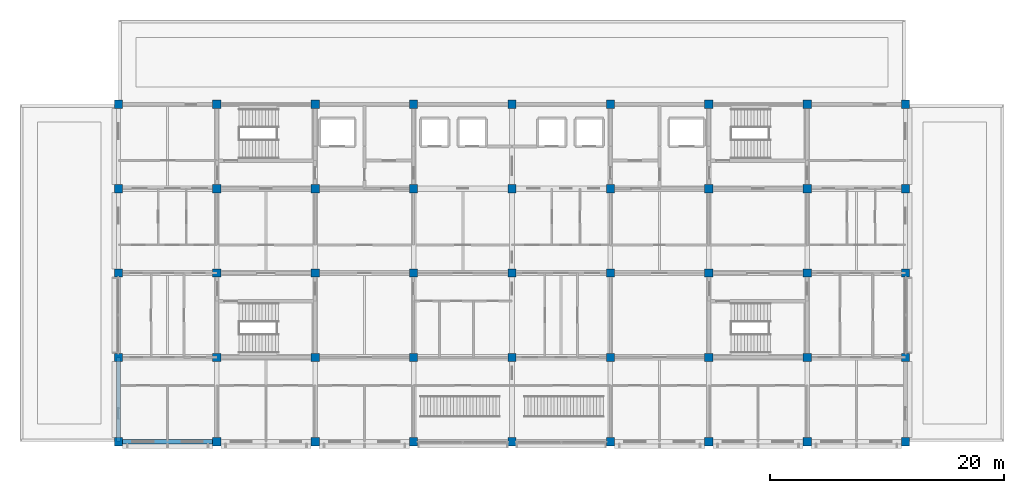
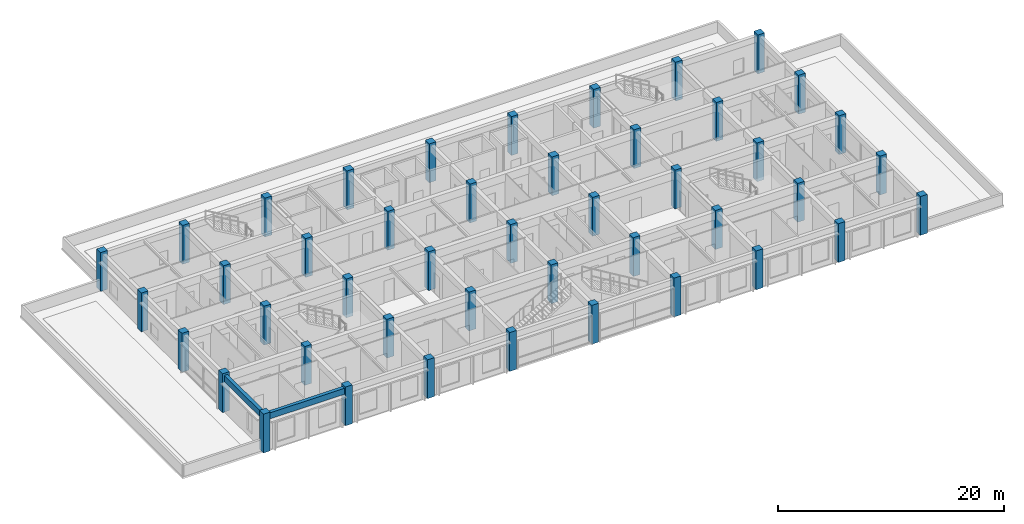
# One storey, part 1 of 19: 45 columns, 2 beams.
"""IFC4 building model written with IfcOpenShell, lengths in metres."""

from ifc_helpers import new_model, si_unit, direction, frame, origin, origin_2d, place, context, subcontext, project, spatial, rectangle, extrude, material, material_profile, profile_set, type_object, element, save


model = new_model("IFC4")

# Units and contexts
model_context = context("Model", 3, precision=1e-05, world=origin(), true_north=direction((0.0, 1.0)))
body_context = subcontext(model_context, "Body", "Model", "MODEL_VIEW")
ifc_project = project(units=[si_unit("LENGTHUNIT", "METRE"), si_unit("AREAUNIT", "SQUARE_METRE"), si_unit("VOLUMEUNIT", "CUBIC_METRE"), si_unit("PLANEANGLEUNIT", "RADIAN"), si_unit("MASSUNIT", "GRAM", prefix="KILO")], contexts=[model_context])

# Site, building, storey
site_placement = place(None, origin())
site = spatial("IfcSite", under=ifc_project, at=site_placement, CompositionType="ELEMENT")
building_placement = place(site_placement, origin())
building = spatial("IfcBuilding", under=site, at=building_placement, Name="Chengyuan Square Courthouse", CompositionType="ELEMENT")
storey_placement = place(building_placement, frame((0.0, 0.0, 47.699951171875)))
storey = spatial("IfcBuildingStorey", under=building, at=storey_placement, Name="L11", CompositionType="ELEMENT", Elevation=47.699951171875)

# Columns
ifc_material = material(Name="Concrete C40", Category="concrete")
ifc_material_profile_1 = material_profile(ifc_material, rectangle(XDim=0.699951171875, YDim=0.699951171875, at=origin_2d()), Name="RC-COL-700x700")
ifc_profile_set_1 = profile_set([ifc_material_profile_1], Name="Concrete C40")
column_type = type_object("IfcColumnType", Name="CL-06", PredefinedType="COLUMN", material=ifc_profile_set_1)
for number, where, z_axis, x_axis, name in (
    (1, (50.39990234375, 79.199951171875, 0.0), (0.0, 0.0, 1.0), (1.0, 0.0, 0.0), "Column CL-L11-001"),
    (2, (50.39990234375, 86.39990234375, 0.0), (0.0, 0.0, 1.0), (1.0, 0.0, 0.0), "Column CL-L11-002"),
    (3, (50.39990234375, 93.60009765625, 0.0), (0.0, 0.0, 1.0), (1.0, 0.0, 0.0), "Column CL-L11-003"),
    (4, (50.39990234375, 100.800048828125, 0.0), (0.0, 0.0, 1.0), (1.0, 0.0, 0.0), "Column CL-L11-004"),
    (5, (50.39990234375, 108.0, 0.0), (0.0, 0.0, 1.0), (1.0, 0.0, 0.0), "Column CL-L11-005"),
    (6, (58.800048828125, 79.199951171875, 0.0), (0.0, 0.0, 1.0), (1.0, 0.0, 0.0), "Column CL-L11-006"),
    (7, (58.800048828125, 86.39990234375, 0.0), (0.0, 0.0, 1.0), (1.0, 0.0, 0.0), "Column CL-L11-007"),
    (8, (58.800048828125, 93.60009765625, 0.0), (0.0, 0.0, 1.0), (1.0, 0.0, 0.0), "Column CL-L11-008"),
    (9, (58.800048828125, 100.800048828125, 0.0), (0.0, 0.0, 1.0), (1.0, 0.0, 0.0), "Column CL-L11-009"),
    (10, (58.800048828125, 108.0, 0.0), (0.0, 0.0, 1.0), (1.0, 0.0, 0.0), "Column CL-L11-010"),
    (11, (67.199951171875, 79.199951171875, 0.0), (0.0, 0.0, 1.0), (1.0, 0.0, 0.0), "Column CL-L11-011"),
    (12, (67.199951171875, 86.39990234375, 0.0), (0.0, 0.0, 1.0), (1.0, 0.0, 0.0), "Column CL-L11-012"),
    (13, (67.199951171875, 93.60009765625, 0.0), (0.0, 0.0, 1.0), (1.0, 0.0, 0.0), "Column CL-L11-013"),
    (14, (67.199951171875, 100.800048828125, 0.0), (0.0, 0.0, 1.0), (1.0, 0.0, 0.0), "Column CL-L11-014"),
    (15, (67.199951171875, 108.0, 0.0), (0.0, 0.0, 1.0), (1.0, 0.0, 0.0), "Column CL-L11-015"),
    (16, (75.60009765625, 79.199951171875, 0.0), (0.0, 0.0, 1.0), (1.0, 0.0, 0.0), "Column CL-L11-016"),
    (17, (75.60009765625, 86.39990234375, 0.0), (0.0, 0.0, 1.0), (1.0, 0.0, 0.0), "Column CL-L11-017"),
    (18, (75.60009765625, 93.60009765625, 0.0), (0.0, 0.0, 1.0), (1.0, 0.0, 0.0), "Column CL-L11-018"),
    (19, (75.60009765625, 100.800048828125, 0.0), (0.0, 0.0, 1.0), (1.0, 0.0, 0.0), "Column CL-L11-019"),
    (20, (75.60009765625, 108.0, 0.0), (0.0, 0.0, 1.0), (1.0, 0.0, 0.0), "Column CL-L11-020"),
    (21, (84.0, 79.199951171875, 0.0), (0.0, 0.0, 1.0), (1.0, 0.0, 0.0), "Column CL-L11-021"),
    (22, (84.0, 86.39990234375, 0.0), (0.0, 0.0, 1.0), (1.0, 0.0, 0.0), "Column CL-L11-022"),
    (23, (84.0, 93.60009765625, 0.0), (0.0, 0.0, 1.0), (1.0, 0.0, 0.0), "Column CL-L11-023"),
    (24, (84.0, 100.800048828125, 0.0), (0.0, 0.0, 1.0), (1.0, 0.0, 0.0), "Column CL-L11-024"),
    (25, (84.0, 108.0, 0.0), (0.0, 0.0, 1.0), (1.0, 0.0, 0.0), "Column CL-L11-025"),
    (26, (92.39990234375, 79.199951171875, 0.0), (0.0, 0.0, 1.0), (1.0, 0.0, 0.0), "Column CL-L11-026"),
    (27, (92.39990234375, 86.39990234375, 0.0), (0.0, 0.0, 1.0), (1.0, 0.0, 0.0), "Column CL-L11-027"),
    (28, (92.39990234375, 93.60009765625, 0.0), (0.0, 0.0, 1.0), (1.0, 0.0, 0.0), "Column CL-L11-028"),
    (29, (92.39990234375, 100.800048828125, 0.0), (0.0, 0.0, 1.0), (1.0, 0.0, 0.0), "Column CL-L11-029"),
    (30, (92.39990234375, 108.0, 0.0), (0.0, 0.0, 1.0), (1.0, 0.0, 0.0), "Column CL-L11-030"),
    (31, (100.800048828125, 79.199951171875, 0.0), (0.0, 0.0, 1.0), (1.0, 0.0, 0.0), "Column CL-L11-031"),
    (32, (100.800048828125, 86.39990234375, 0.0), (0.0, 0.0, 1.0), (1.0, 0.0, 0.0), "Column CL-L11-032"),
    (33, (100.800048828125, 93.60009765625, 0.0), (0.0, 0.0, 1.0), (1.0, 0.0, 0.0), "Column CL-L11-033"),
    (34, (100.800048828125, 100.800048828125, 0.0), (0.0, 0.0, 1.0), (1.0, 0.0, 0.0), "Column CL-L11-034"),
    (35, (100.800048828125, 108.0, 0.0), (0.0, 0.0, 1.0), (1.0, 0.0, 0.0), "Column CL-L11-035"),
    (36, (109.199951171875, 79.199951171875, 0.0), (0.0, 0.0, 1.0), (1.0, 0.0, 0.0), "Column CL-L11-036"),
    (37, (109.199951171875, 86.39990234375, 0.0), (0.0, 0.0, 1.0), (1.0, 0.0, 0.0), "Column CL-L11-037"),
    (38, (109.199951171875, 93.60009765625, 0.0), (0.0, 0.0, 1.0), (1.0, 0.0, 0.0), "Column CL-L11-038"),
    (39, (109.199951171875, 100.800048828125, 0.0), (0.0, 0.0, 1.0), (1.0, 0.0, 0.0), "Column CL-L11-039"),
    (40, (109.199951171875, 108.0, 0.0), (0.0, 0.0, 1.0), (1.0, 0.0, 0.0), "Column CL-L11-040"),
    (41, (117.60009765625, 79.199951171875, 0.0), (0.0, 0.0, 1.0), (1.0, 0.0, 0.0), "Column CL-L11-041"),
    (42, (117.60009765625, 86.39990234375, 0.0), (0.0, 0.0, 1.0), (1.0, 0.0, 0.0), "Column CL-L11-042"),
    (43, (117.60009765625, 93.60009765625, 0.0), (0.0, 0.0, 1.0), (1.0, 0.0, 0.0), "Column CL-L11-043"),
    (44, (117.60009765625, 100.800048828125, 0.0), (0.0, 0.0, 1.0), (1.0, 0.0, 0.0), "Column CL-L11-044"),
    (45, (117.60009765625, 108.0, 0.0), (0.0, 0.0, 1.0), (1.0, 0.0, 0.0), "Column CL-L11-045"),
):
    element("IfcColumn", number, at=place(storey_placement, frame(where, z_axis=z_axis, x_axis=x_axis)), inside=storey, type_object=column_type, Name=name, PredefinedType="COLUMN", context=body_context, shape_type="SweptSolid", body=[
        extrude(rectangle(XDim=0.699951171875, YDim=0.699951171875, at=origin_2d()), origin(), (0.0, 0.0, 1.0), 4.199951171875),
    ])

# Beams
ifc_material_profile_2 = material_profile(ifc_material, rectangle(XDim=0.35009765625, YDim=0.64990234375, at=origin_2d()), Name="RC-BM-350x650")
ifc_profile_set_2 = profile_set([ifc_material_profile_2], Name="Concrete C40")
beam_type = type_object("IfcBeamType", Name="BM-03", PredefinedType="SPANDREL", material=ifc_profile_set_2)
beam_1_placement = place(storey_placement, frame((50.39990234375, 79.199951171875, 3.635009765625), z_axis=(1.0, 0.0, 0.0), x_axis=(0.0, 1.0, 0.0)))
element("IfcBeam", 46, at=beam_1_placement, inside=storey, type_object=beam_type, Name="Girder BM-L11-4158", PredefinedType="SPANDREL", context=body_context, shape_type="SweptSolid", body=[
    extrude(rectangle(XDim=0.35009765625, YDim=0.64990234375, at=origin_2d()), origin(), (0.0, 0.0, 1.0), 8.400146484375),
])
beam_2_placement = place(storey_placement, frame((50.39990234375, 79.199951171875, 3.635009765625), z_axis=(0.0, 1.0, 0.0), x_axis=(-1.0, 0.0, 0.0)))
element("IfcBeam", 47, at=beam_2_placement, inside=storey, type_object=beam_type, Name="Girder BM-L11-4198", PredefinedType="SPANDREL", context=body_context, shape_type="SweptSolid", body=[
    extrude(rectangle(XDim=0.35009765625, YDim=0.64990234375, at=origin_2d()), origin(), (0.0, 0.0, 1.0), 7.199951171875),
])

save(model, "model.ifc")
